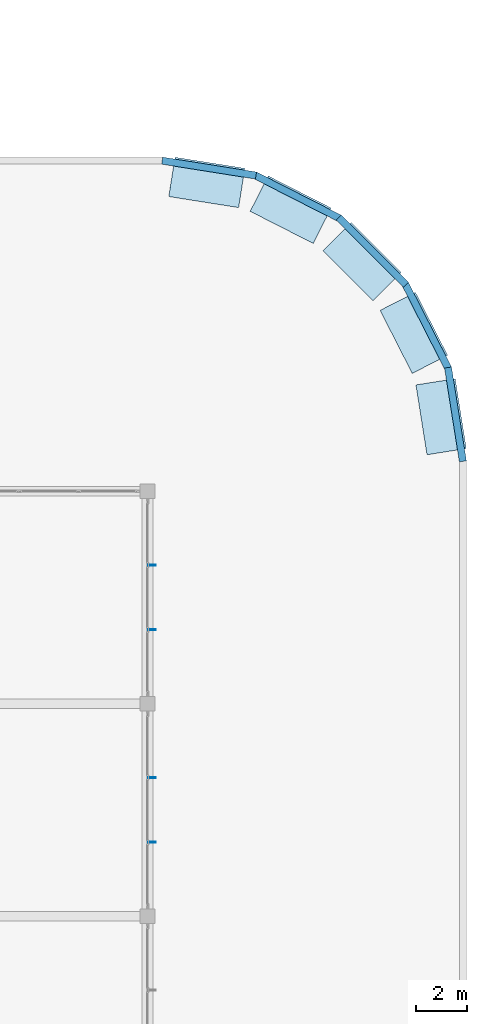
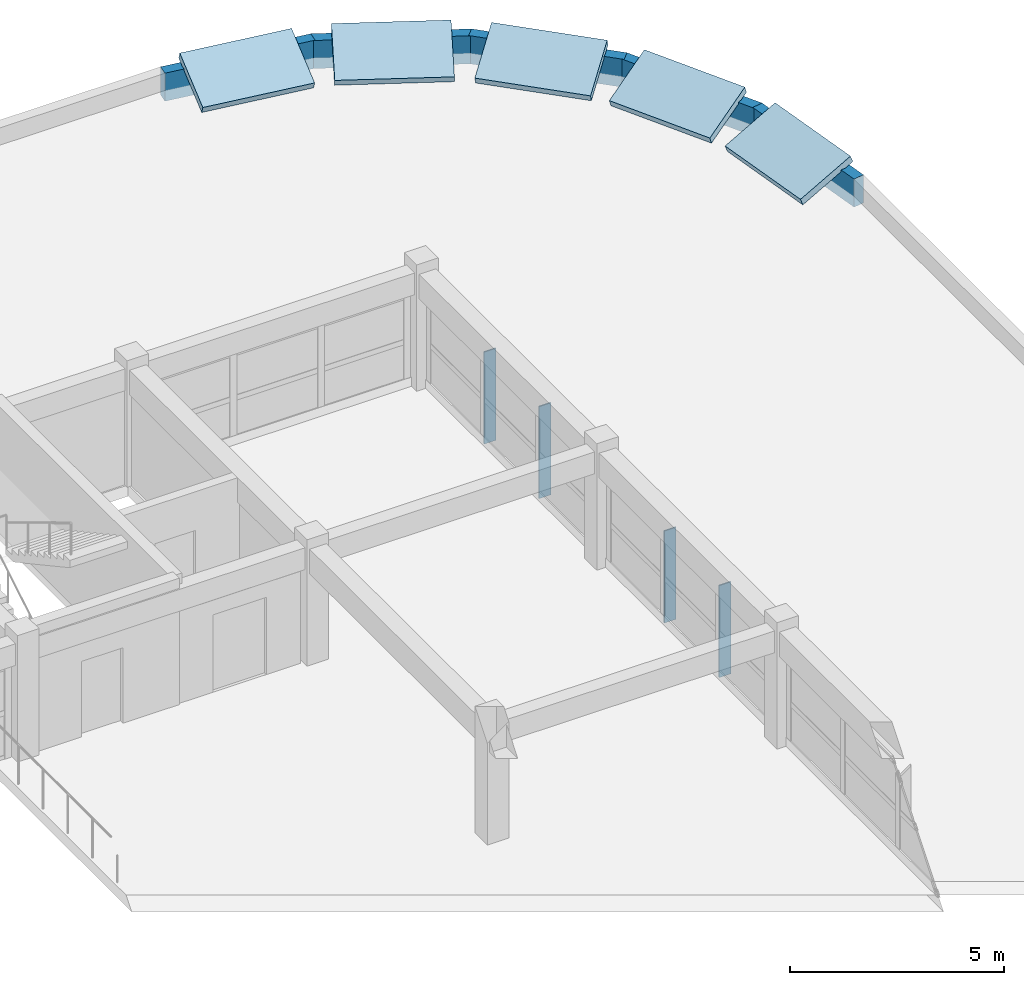
# One storey, part 87 of 101: 9 plates, 5 slabs.
"""IFC4 building model written with IfcOpenShell, lengths in metres."""

import ifcopenshell
import ifcopenshell.guid

model = None  # the IFC model being written
_history = None  # IfcOwnerHistory: only IFC2X3 demands one
_inside = {}  # id of a spatial element -> (the spatial element, [elements in it])
_under = {}  # id of a project, library or spatial element -> (it, [spatial elements below it])
_declared = {}  # id of a project -> (the project, [libraries it declares])
_typed = {}  # id of a type object -> (the type object, [elements of that type])
_made_of = {}  # id of a material, layer set ... -> (it, [elements and type objects made of it])


def new_model(schema):
    """Start an empty IFC model of exactly this schema.

    Asked for "IFC4X3", IfcOpenShell would pick the latest addendum, in which some entities
    have other attributes; the version numbers below select the first issue.
    IFC2X3 requires an IfcOwnerHistory on every rooted entity: one is made here for all.
    """
    global model, _history
    if schema == "IFC4X3":
        model = ifcopenshell.file(schema_version=(4, 3, 0, 0))
    else:
        model = ifcopenshell.file(schema=schema)
    _inside.clear()
    _under.clear()
    _declared.clear()
    _typed.clear()
    _made_of.clear()
    _history = None
    if model.schema == "IFC2X3":
        org = make("IfcOrganization", Name="unknown")
        user = make(
            "IfcPersonAndOrganization",
            ThePerson=make("IfcPerson", FamilyName="unknown"),
            TheOrganization=org,
        )
        app = make(
            "IfcApplication",
            ApplicationDeveloper=org,
            Version="unknown",
            ApplicationFullName="unknown",
            ApplicationIdentifier="unknown",
        )
        _history = make(
            "IfcOwnerHistory",
            OwningUser=user,
            OwningApplication=app,
            ChangeAction="ADDED",
            CreationDate=0,
        )
    return model


def make(cls, **values):
    """One entity of the class cls with the attributes given. An attribute that is None is left unset."""
    return model.create_entity(
        cls, **{name: value for name, value in values.items() if value is not None}
    )


def rooted(cls, **values):
    """An entity with a GlobalId (a new one), such as an element, a storey or a relation."""
    return make(cls, GlobalId=ifcopenshell.guid.new(), OwnerHistory=_history, **values)


def si_unit(unit_type, name, prefix=None):
    """IfcSIUnit, for example si_unit("LENGTHUNIT", "METRE", prefix="MILLI")."""
    return make("IfcSIUnit", UnitType=unit_type, Prefix=prefix, Name=name)


def assignment(units):
    """IfcUnitAssignment: the units of a project."""
    return None if units is None else make("IfcUnitAssignment", Units=units)


def point(xyz):
    """IfcCartesianPoint."""
    return None if xyz is None else make("IfcCartesianPoint", Coordinates=xyz)


def direction(xyz):
    """IfcDirection."""
    return None if xyz is None else make("IfcDirection", DirectionRatios=xyz)


def frame(location, z_axis=None, x_axis=None):
    """IfcAxis2Placement3D, a coordinate frame: its origin and axes. An axis left out is left unset."""
    return make(
        "IfcAxis2Placement3D",
        Location=point(location),
        Axis=direction(z_axis),
        RefDirection=direction(x_axis),
    )


def origin():
    """The frame at (0, 0, 0) with its axes left unset."""
    return frame((0.0, 0.0, 0.0))


def place(relative_to, where):
    """IfcLocalPlacement: puts the frame where relative to a parent placement (None: the world)."""
    return make(
        "IfcLocalPlacement", PlacementRelTo=relative_to, RelativePlacement=where
    )


def context(
    kind, dimensions, precision=None, world=None, true_north=None, identifier=None
):
    """IfcGeometricRepresentationContext, for example the 3D "Model" context."""
    return make(
        "IfcGeometricRepresentationContext",
        ContextIdentifier=identifier,
        ContextType=kind,
        CoordinateSpaceDimension=dimensions,
        Precision=precision,
        WorldCoordinateSystem=world,
        TrueNorth=true_north,
    )


def subcontext(parent, identifier, kind, view, scale=None):
    """IfcGeometricRepresentationSubContext, for example "Body" below "Model"."""
    return make(
        "IfcGeometricRepresentationSubContext",
        ContextIdentifier=identifier,
        ContextType=kind,
        ParentContext=parent,
        TargetScale=scale,
        TargetView=view,
    )


def project(units=None, contexts=None):
    """IfcProject with its units and contexts."""
    return rooted(
        "IfcProject",
        Name="project",
        RepresentationContexts=contexts,
        UnitsInContext=assignment(units),
    )


def spatial(cls, under=None, at=None, **own):
    """A site, building, storey or space (cls), placed at a placement, below another one or the project."""
    s = rooted(cls, ObjectPlacement=at, **own)
    if under is not None:
        _under.setdefault(under.id(), (under, []))[1].append(s)
    return s


def polyline(points):
    """IfcPolyline through the points."""
    return make("IfcPolyline", Points=[point(p) for p in points])


def outline(outer, holes=None, kind="AREA"):
    """IfcArbitraryClosedProfileDef: a profile drawn as a closed curve; with holes, ...WithVoids."""
    if holes is None:
        return make("IfcArbitraryClosedProfileDef", ProfileType=kind, OuterCurve=outer)
    return make(
        "IfcArbitraryProfileDefWithVoids",
        ProfileType=kind,
        OuterCurve=outer,
        InnerCurves=holes,
    )


def extrude(swept, where, along, depth):
    """IfcExtrudedAreaSolid: the profile swept, set in the frame where, extruded along a direction by depth."""
    return make(
        "IfcExtrudedAreaSolid",
        SweptArea=swept,
        Position=where,
        ExtrudedDirection=direction(along),
        Depth=depth,
    )


def shape(context_of_items, identifier, shape_type, items):
    """IfcShapeRepresentation: the items that make up one representation, for example the "Body"."""
    return make(
        "IfcShapeRepresentation",
        ContextOfItems=context_of_items,
        RepresentationIdentifier=identifier,
        RepresentationType=shape_type,
        Items=items,
    )


def material(Name=None, Category=None):
    """IfcMaterial."""
    return make("IfcMaterial", Name=Name, Category=Category)


def layer(
    of_material, thickness, ventilated=None, Name=None, Category=None, Priority=None
):
    """IfcMaterialLayer: one layer of a wall or slab, of a material (None: an air gap)."""
    return make(
        "IfcMaterialLayer",
        Material=of_material,
        LayerThickness=thickness,
        IsVentilated=ventilated,
        Name=Name,
        Category=Category,
        Priority=Priority,
    )


def layer_set(layers, Name=None):
    """IfcMaterialLayerSet."""
    return make("IfcMaterialLayerSet", MaterialLayers=layers, LayerSetName=Name)


def made_of(thing, what):
    """Note that an element or type object is made of a material, layer set ...; save() writes the relation."""
    if what is not None:
        _made_of.setdefault(what.id(), (what, []))[1].append(thing)
    return thing


def type_object(cls, material=None, **own):
    """A type object (cls), such as IfcWallType, which elements share."""
    return made_of(rooted(cls, **own), material)


def element(
    cls,
    number,
    at=None,
    inside=None,
    cuts=None,
    type_object=None,
    material=None,
    context=None,
    identifier="Body",
    shape_type=None,
    held_by="IfcProductDefinitionShape",
    body=None,
    shapes=None,
    **own,
):
    """One element of the class cls, such as IfcWall. Its Tag is "e" and its number.

    at: its placement. inside: the storey or other place that contains it. cuts: it is an
    opening in that element (IfcRelVoidsElement). A single representation is given by context,
    identifier, shape_type and body (its items); several are given by shapes. held_by: the class
    of the entity that holds the representations. save() writes the other relations.
    """
    e = rooted(cls, Tag="e%d" % number, ObjectPlacement=at, **own)
    if body is not None:
        shapes = [shape(context, identifier, shape_type, body)]
    if shapes is not None:
        e.Representation = make(held_by, Representations=shapes)
    if inside is not None:
        _inside.setdefault(inside.id(), (inside, []))[1].append(e)
    if cuts is not None:
        rooted(
            "IfcRelVoidsElement", RelatingBuildingElement=cuts, RelatedOpeningElement=e
        )
    if type_object is not None:
        _typed.setdefault(type_object.id(), (type_object, []))[1].append(e)
    return made_of(e, material)


def aggregate(whole, parts):
    """IfcRelAggregates: a whole, such as a stair, and the parts it consists of."""
    return rooted("IfcRelAggregates", RelatingObject=whole, RelatedObjects=parts)


def save(model, path):
    """Write the relations noted so far, then the file.

    IfcRelAggregates (storeys below a building ...), IfcRelContainedInSpatialStructure (elements
    in a storey), IfcRelDefinesByType, IfcRelAssociatesMaterial and IfcRelDeclares: one each for
    every whole, place, type object, material and project.
    """
    for whole, parts in _under.values():
        aggregate(whole, parts)
    for where, things in _inside.values():
        rooted(
            "IfcRelContainedInSpatialStructure",
            RelatedElements=things,
            RelatingStructure=where,
        )
    for kind, things in _typed.values():
        rooted("IfcRelDefinesByType", RelatedObjects=things, RelatingType=kind)
    for what, things in _made_of.values():
        rooted("IfcRelAssociatesMaterial", RelatedObjects=things, RelatingMaterial=what)
    for by, libraries in _declared.values():
        rooted("IfcRelDeclares", RelatingContext=by, RelatedDefinitions=libraries)
    model.write(path)


model = new_model("IFC4")

# Units and contexts
model_context = context("Model", 3, precision=1e-05, world=origin(), true_north=direction((0.0, 1.0)))
body_context = subcontext(model_context, "Body", "Model", "MODEL_VIEW")
ifc_project = project(units=[si_unit("LENGTHUNIT", "METRE"), si_unit("AREAUNIT", "SQUARE_METRE"), si_unit("VOLUMEUNIT", "CUBIC_METRE"), si_unit("PLANEANGLEUNIT", "RADIAN"), si_unit("MASSUNIT", "GRAM", prefix="KILO")], contexts=[model_context])

# Site, building, storey
site_placement = place(None, origin())
site = spatial("IfcSite", under=ifc_project, at=site_placement, CompositionType="ELEMENT")
building_placement = place(site_placement, origin())
building = spatial("IfcBuilding", under=site, at=building_placement, Name="Zizhar Promenade General Hospital", CompositionType="ELEMENT")
storey_placement = place(building_placement, frame((0.0, 0.0, 14.39990234375)))
storey = spatial("IfcBuildingStorey", under=building, at=storey_placement, Name="L03", CompositionType="ELEMENT", Elevation=14.39990234375)

# Plates
ifc_material_1 = material(Name="Anodised aluminium 6063-T6", Category="aluminium")
ifc_layer_1 = layer(ifc_material_1, 0.033935546875)
ifc_layer_set_1 = layer_set([ifc_layer_1], Name="Anodised aluminium 6063-T6")
plate_type_1 = type_object("IfcPlateType", Name="FIN-ALU-320", PredefinedType="USERDEFINED", material=ifc_layer_set_1)
plate_1_placement = place(storey_placement, origin())
element("IfcPlate", 1, at=plate_1_placement, inside=storey, type_object=plate_type_1, Name="L03 Clinic Pavilion East Glazing 10 Solar Fin 1", ObjectType="SOLAR_SHADE", PredefinedType="USERDEFINED", context=body_context, shape_type="SweptSolid", body=[
    extrude(outline(polyline([(187.199951171875, 89.4970703125), (187.199951171875, 89.462890625), (187.52001953125, 89.462890625), (187.52001953125, 89.4970703125), (187.199951171875, 89.4970703125)])), origin(), (0.0, 0.0, 1.0), 2.6201171875),
])
plate_2_placement = place(storey_placement, origin())
element("IfcPlate", 2, at=plate_2_placement, inside=storey, type_object=plate_type_1, Name="L03 Clinic Pavilion East Glazing 10 Solar Fin 2", ObjectType="SOLAR_SHADE", PredefinedType="USERDEFINED", context=body_context, shape_type="SweptSolid", body=[
    extrude(outline(polyline([(187.199951171875, 86.93701171875), (187.199951171875, 86.903076171875), (187.52001953125, 86.903076171875), (187.52001953125, 86.93701171875), (187.199951171875, 86.93701171875)])), origin(), (0.0, 0.0, 1.0), 2.6201171875),
])
plate_3_placement = place(storey_placement, origin())
element("IfcPlate", 3, at=plate_3_placement, inside=storey, type_object=plate_type_1, Name="L03 Clinic Pavilion East Glazing 11 Solar Fin 1", ObjectType="SOLAR_SHADE", PredefinedType="USERDEFINED", context=body_context, shape_type="SweptSolid", body=[
    extrude(outline(polyline([(187.199951171875, 97.89697265625), (187.199951171875, 97.863037109375), (187.52001953125, 97.863037109375), (187.52001953125, 97.89697265625), (187.199951171875, 97.89697265625)])), origin(), (0.0, 0.0, 1.0), 2.6201171875),
])
plate_4_placement = place(storey_placement, origin())
element("IfcPlate", 4, at=plate_4_placement, inside=storey, type_object=plate_type_1, Name="L03 Clinic Pavilion East Glazing 11 Solar Fin 2", ObjectType="SOLAR_SHADE", PredefinedType="USERDEFINED", context=body_context, shape_type="SweptSolid", body=[
    extrude(outline(polyline([(187.199951171875, 95.3369140625), (187.199951171875, 95.302978515625), (187.52001953125, 95.302978515625), (187.52001953125, 95.3369140625), (187.199951171875, 95.3369140625)])), origin(), (0.0, 0.0, 1.0), 2.6201171875),
])
ifc_material_2 = material(Name="Precast concrete C40/50", Category="concrete")
ifc_layer_2 = layer(ifc_material_2, 0.260009765625)
ifc_layer_set_2 = layer_set([ifc_layer_2], Name="Precast concrete C40/50")
plate_type_2 = type_object("IfcPlateType", Name="PL-PC-BAND950", PredefinedType="USERDEFINED", material=ifc_layer_set_2)
plate_5_placement = place(storey_placement, frame((0.0, 0.0, -0.0498046875)))
element("IfcPlate", 5, at=plate_5_placement, inside=storey, type_object=plate_type_2, Name="Three-Arm Base Roof Upturned Edge Fascia 15", ObjectType="FASCIA_BAND", PredefinedType="USERDEFINED", context=body_context, shape_type="SweptSolid", body=[
    extrude(outline(polyline([(199.800048828125, 102.0), (199.212646484375, 105.708251953125), (198.93603515625, 105.664306640625), (199.5234375, 101.956298828125), (199.800048828125, 102.0)])), origin(), (0.0, 0.0, 1.0), 0.7998046875),
])
plate_6_placement = place(storey_placement, frame((0.0, 0.0, -0.0498046875)))
element("IfcPlate", 6, at=plate_6_placement, inside=storey, type_object=plate_type_2, Name="Three-Arm Base Roof Upturned Edge Fascia 16", ObjectType="FASCIA_BAND", PredefinedType="USERDEFINED", context=body_context, shape_type="SweptSolid", body=[
    extrude(outline(polyline([(199.212646484375, 105.708251953125), (197.50830078125, 109.053466796875), (197.2587890625, 108.92626953125), (198.963134765625, 105.5810546875), (199.212646484375, 105.708251953125)])), origin(), (0.0, 0.0, 1.0), 0.7998046875),
])
plate_7_placement = place(storey_placement, frame((0.0, 0.0, -0.0498046875)))
element("IfcPlate", 7, at=plate_7_placement, inside=storey, type_object=plate_type_2, Name="Three-Arm Base Roof Upturned Edge Fascia 17", ObjectType="FASCIA_BAND", PredefinedType="USERDEFINED", context=body_context, shape_type="SweptSolid", body=[
    extrude(outline(polyline([(197.50830078125, 109.053466796875), (194.853515625, 111.708251953125), (194.655517578125, 111.51025390625), (197.310302734375, 108.85546875), (197.50830078125, 109.053466796875)])), origin(), (0.0, 0.0, 1.0), 0.7998046875),
])
plate_8_placement = place(storey_placement, frame((0.0, 0.0, -0.0498046875)))
element("IfcPlate", 8, at=plate_8_placement, inside=storey, type_object=plate_type_2, Name="Three-Arm Base Roof Upturned Edge Fascia 18", ObjectType="FASCIA_BAND", PredefinedType="USERDEFINED", context=body_context, shape_type="SweptSolid", body=[
    extrude(outline(polyline([(194.853515625, 111.708251953125), (191.50830078125, 113.41259765625), (191.381103515625, 113.1630859375), (194.726318359375, 111.458740234375), (194.853515625, 111.708251953125)])), origin(), (0.0, 0.0, 1.0), 0.7998046875),
])
plate_9_placement = place(storey_placement, frame((0.0, 0.0, -0.0498046875)))
element("IfcPlate", 9, at=plate_9_placement, inside=storey, type_object=plate_type_2, Name="Three-Arm Base Roof Upturned Edge Fascia 19", ObjectType="FASCIA_BAND", PredefinedType="USERDEFINED", context=body_context, shape_type="SweptSolid", body=[
    extrude(outline(polyline([(191.50830078125, 113.41259765625), (187.800048828125, 114.0), (187.756103515625, 113.723388671875), (191.46435546875, 113.135986328125), (191.50830078125, 113.41259765625)])), origin(), (0.0, 0.0, 1.0), 0.7998046875),
])

# Slabs
ifc_material_3 = material(Name="Concrete C35/45", Category="concrete")
ifc_layer_3 = layer(ifc_material_3, 0.199951171875)
ifc_layer_set_3 = layer_set([ifc_layer_3], Name="Concrete C35/45")
slab_type = type_object("IfcSlabType", Name="SLB-SAW-200", PredefinedType="ROOF", material=ifc_layer_set_3)
slab_1_placement = place(storey_placement, frame((199.72509765625, 102.47412109375, 1.02001953125), z_axis=(-0.350611244632, -0.055517194736, 0.934874107153), x_axis=(-0.15640141929, 0.987693573959, -2.267465e-06)))
element("IfcSlab", 10, at=slab_1_placement, inside=storey, type_object=slab_type, Name="Three-Arm Base Curved Upturned Rim 15", PredefinedType="ROOF", context=body_context, shape_type="SweptSolid", body=[
    extrude(outline(polyline([(0.0, 0.0), (2.79415202650295, 0.0), (2.793995066206527, 1.6052137592071998), (-0.00039809642287729077, 1.605249456578346), (0.0, 0.0)])), origin(), (0.0, 0.0, -1.0), 0.199951171875),
])
slab_2_placement = place(storey_placement, frame((198.9951171875, 106.135986328125, 1.02001953125), z_axis=(-0.316459500789, -0.161286055996, 0.93479419794), x_axis=(-0.454084118921, 0.890958816637, 0.0)))
element("IfcSlab", 11, at=slab_2_placement, inside=storey, type_object=slab_type, Name="Three-Arm Base Curved Upturned Rim 16", PredefinedType="ROOF", context=body_context, shape_type="SweptSolid", body=[
    extrude(outline(polyline([(0.0, 0.0), (2.794731010994919, 2.220446049250313e-16), (2.794808707102366, 1.6042808332906047), (7.769610744734479e-05, 1.6042808332906047), (0.0, 0.0)])), origin(), (0.0, 0.0, -1.0), 0.199951171875),
])
slab_3_placement = place(storey_placement, frame((197.1689453125, 109.39306640625, 1.02001953125), z_axis=(-0.251052013809, -0.251036504326, 0.934854833575), x_axis=(-0.707104027976, 0.707109534312, -1.0252423e-05)))
element("IfcSlab", 12, at=slab_3_placement, inside=storey, type_object=slab_type, Name="Three-Arm Base Curved Upturned Rim 17", PredefinedType="ROOF", context=body_context, shape_type="SweptSolid", body=[
    extrude(outline(polyline([(0.0, 0.0), (2.7942456932610322, 0.0), (2.794418327088613, 1.6049214283452413), (-3.3606964422964466e-10, 1.6050828155992172), (0.0, 0.0)])), origin(), (0.0, 0.0, -1.0), 0.199951171875),
])
slab_4_placement = place(storey_placement, frame((194.426025390625, 111.926025390625, 1.02001953125), z_axis=(-0.161272476301, -0.316478811358, 0.934790003342), x_axis=(-0.890962182196, 0.454077514876, 1.9506797e-05)))
element("IfcSlab", 13, at=slab_4_placement, inside=storey, type_object=slab_type, Name="Three-Arm Base Curved Upturned Rim 18", PredefinedType="ROOF", context=body_context, shape_type="SweptSolid", body=[
    extrude(outline(polyline([(0.0, 0.0), (2.7947310103864282, -2.220446049250313e-16), (2.7948708347383358, 1.6043844643543197), (3.316305617487082e-05, 1.6040774983654282), (0.0, 0.0)])), origin(), (0.0, 0.0, -1.0), 0.199951171875),
])
slab_5_placement = place(storey_placement, frame((191.033935546875, 113.488037109375, 1.02001953125), z_axis=(-0.055523214111, -0.350664768448, 0.934853674574), x_axis=(-0.987695576379, 0.156388773261, 0.0)))
element("IfcSlab", 14, at=slab_5_placement, inside=storey, type_object=slab_type, Name="Three-Arm Base Curved Upturned Rim 19", PredefinedType="ROOF", context=body_context, shape_type="SweptSolid", body=[
    extrude(outline(polyline([(0.0, 0.0), (2.7943931628656333, 0.0), (2.7946088100289197, 1.6049883273515282), (0.00021564716328651237, 1.6049883273515282), (0.0, 0.0)])), origin(), (0.0, 0.0, -1.0), 0.199951171875),
])

save(model, "model.ifc")
